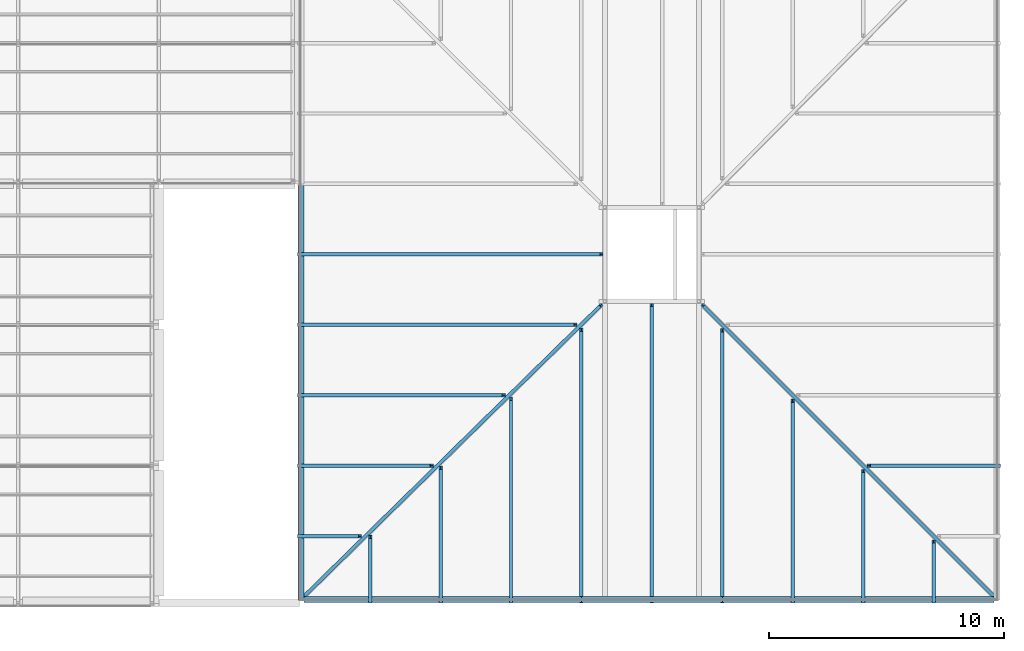
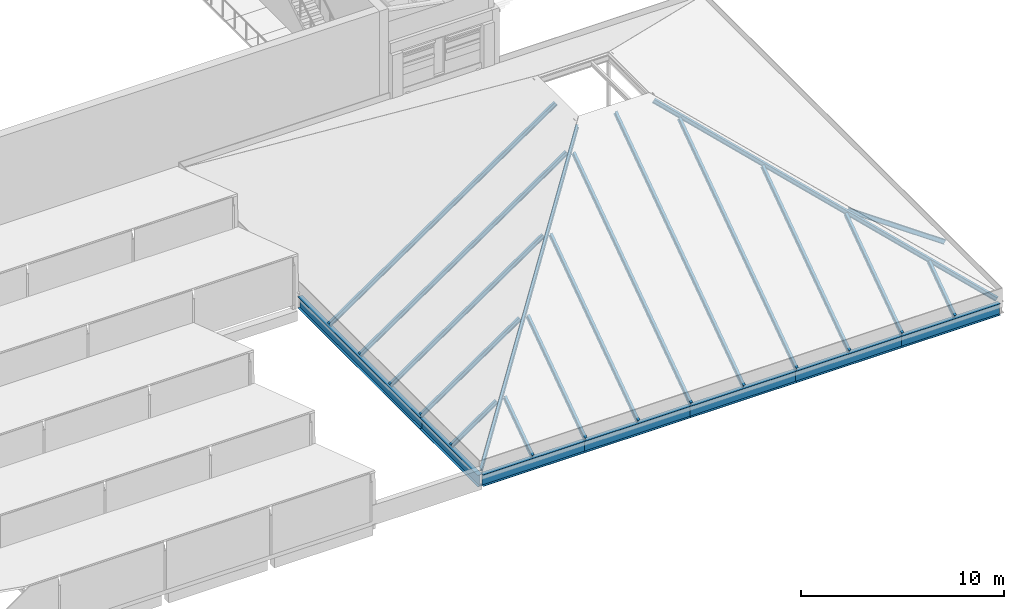
# One storey, part 16 of 118: 17 members, 7 beams.
"""IFC4 building model written with IfcOpenShell, lengths in metres."""

from ifc_helpers import new_model, si_unit, direction, frame, origin, origin_2d, place, context, subcontext, project, spatial, i_section, extrude, material, material_profile, profile_set, type_object, element, save


model = new_model("IFC4")

# Units and contexts
model_context = context("Model", 3, precision=1e-05, world=origin(), true_north=direction((0.0, 1.0)))
body_context = subcontext(model_context, "Body", "Model", "MODEL_VIEW")
ifc_project = project(units=[si_unit("LENGTHUNIT", "METRE"), si_unit("AREAUNIT", "SQUARE_METRE"), si_unit("VOLUMEUNIT", "CUBIC_METRE"), si_unit("PLANEANGLEUNIT", "RADIAN"), si_unit("MASSUNIT", "GRAM", prefix="KILO")], contexts=[model_context])

# Site, building, storey
site_placement = place(None, origin())
site = spatial("IfcSite", under=ifc_project, at=site_placement, CompositionType="ELEMENT")
building_placement = place(site_placement, origin())
building = spatial("IfcBuilding", under=site, at=building_placement, Name="Saffron Lane Theatres", CompositionType="ELEMENT")
storey_placement = place(building_placement, frame((0.0, 0.0, 16.5)))
storey = spatial("IfcBuildingStorey", under=building, at=storey_placement, Name="L03", CompositionType="ELEMENT", Elevation=16.5)

# Beams
ifc_material_1 = material(Name="Steel Grade 350", Category="steel")
ifc_material_profile_1 = material_profile(ifc_material_1, i_section(OverallWidth=0.25, OverallDepth=0.699951171875, WebThickness=0.010009765625, FlangeThickness=0.02001953125, at=origin_2d()))
ifc_profile_set_1 = profile_set([ifc_material_profile_1], Name="Steel Grade 350")
beam_type = type_object("IfcBeamType", Name="ST-EAVE BEAM 700WB130", PredefinedType="BEAM", material=ifc_profile_set_1)
beam_1_placement = place(storey_placement, frame((36.175048828125, 0.300048828125, 0.35009765625), z_axis=(1.0, 0.0, 0.0), x_axis=(0.0, 1.0, 0.0)))
element("IfcBeam", 1, at=beam_1_placement, inside=storey, type_object=beam_type, Name="SE1", PredefinedType="BEAM", context=body_context, shape_type="SweptSolid", body=[
    extrude(i_section(OverallWidth=0.25, OverallDepth=0.699951171875, WebThickness=0.010009765625, FlangeThickness=0.02001953125, at=origin_2d()), origin(), (0.0, 0.0, 1.0), 5.824951171875),
])
for number, where, z_axis, x_axis, name in (
    (2, (42.0, 0.300048828125, 0.35009765625), (1.0, 0.0, 0.0), (0.0, 1.0, 0.0), "SE2"),
    (3, (48.0, 0.300048828125, 0.35009765625), (1.0, 0.0, 0.0), (0.0, 1.0, 0.0), "SE3"),
    (4, (54.0, 0.300048828125, 0.35009765625), (1.0, 0.0, 0.0), (0.0, 1.0, 0.0), "SE4"),
):
    element("IfcBeam", number, at=place(storey_placement, frame(where, z_axis=z_axis, x_axis=x_axis)), inside=storey, type_object=beam_type, Name=name, PredefinedType="BEAM", context=body_context, shape_type="SweptSolid", body=[
        extrude(i_section(OverallWidth=0.25, OverallDepth=0.699951171875, WebThickness=0.010009765625, FlangeThickness=0.02001953125, at=origin_2d()), origin(), (0.0, 0.0, 1.0), 6.0),
    ])
beam_2_placement = place(storey_placement, frame((60.0, 0.300048828125, 0.35009765625), z_axis=(1.0, 0.0, 0.0), x_axis=(0.0, 1.0, 0.0)))
element("IfcBeam", 5, at=beam_2_placement, inside=storey, type_object=beam_type, Name="SE5", PredefinedType="BEAM", context=body_context, shape_type="SweptSolid", body=[
    extrude(i_section(OverallWidth=0.25, OverallDepth=0.699951171875, WebThickness=0.010009765625, FlangeThickness=0.02001953125, at=origin_2d()), origin(), (0.0, 0.0, 1.0), 5.574951171875),
])
beam_3_placement = place(storey_placement, frame((36.050048828125, 0.27490234375, 0.35009765625), z_axis=(0.0, 1.0, 0.0), x_axis=(-1.0, 0.0, 0.0)))
element("IfcBeam", 6, at=beam_3_placement, inside=storey, type_object=beam_type, Name="SE9", PredefinedType="BEAM", context=body_context, shape_type="SweptSolid", body=[
    extrude(i_section(OverallWidth=0.25, OverallDepth=0.699951171875, WebThickness=0.010009765625, FlangeThickness=0.02001953125, at=origin_2d()), origin(), (0.0, 0.0, 1.0), 5.72509765625),
])
beam_4_placement = place(storey_placement, frame((36.050048828125, 6.0, 0.35009765625), z_axis=(0.0, 1.0, 0.0), x_axis=(-1.0, 0.0, 0.0)))
element("IfcBeam", 7, at=beam_4_placement, inside=storey, type_object=beam_type, Name="SE10", PredefinedType="BEAM", context=body_context, shape_type="SweptSolid", body=[
    extrude(i_section(OverallWidth=0.25, OverallDepth=0.699951171875, WebThickness=0.010009765625, FlangeThickness=0.02001953125, at=origin_2d()), origin(), (0.0, 0.0, 1.0), 12.0),
])

# Members
ifc_material_2 = material(Name="Steel Grade 350", Category="steel")
ifc_material_profile_2 = material_profile(ifc_material_2, i_section(OverallWidth=0.14599609375, OverallDepth=0.251953125, WebThickness=0.006103515625, FlangeThickness=0.008544921875, FilletRadius=0.011962890625, at=origin_2d()))
ifc_profile_set_2 = profile_set([ifc_material_profile_2], Name="Steel Grade 350")
member_type_1 = type_object("IfcMemberType", Name="ST-HIP RAFTER 250UB31.4", PredefinedType="RAFTER", material=ifc_profile_set_2)
member_1_placement = place(storey_placement, frame((36.214599609375, 0.464599609375, 0.81298828125), z_axis=(0.639643963461, 0.627142697873, 0.444463312898), x_axis=(-0.700094619058, 0.714050085334, 0.0)))
element("IfcMember", 8, at=member_1_placement, inside=storey, type_object=member_type_1, Name="SH1", PredefinedType="RAFTER", context=body_context, shape_type="SweptSolid", body=[
    extrude(i_section(OverallWidth=0.14599609375, OverallDepth=0.251953125, WebThickness=0.006103515625, FlangeThickness=0.008544921875, FilletRadius=0.011962890625, at=origin_2d()), origin(), (0.0, 0.0, 1.0), 19.724609375),
])
member_2_placement = place(storey_placement, frame((65.535400390625, 0.464599609375, 0.81298828125), z_axis=(-0.632169350358, 0.632169350358, 0.448022125499), x_axis=(-0.707106781187, -0.707106781187, 0.0)))
element("IfcMember", 9, at=member_2_placement, inside=storey, type_object=member_type_1, Name="SH3", PredefinedType="RAFTER", context=body_context, shape_type="SweptSolid", body=[
    extrude(i_section(OverallWidth=0.14599609375, OverallDepth=0.251953125, WebThickness=0.006103515625, FlangeThickness=0.008544921875, FilletRadius=0.011962890625, at=origin_2d()), origin(), (0.0, 0.0, 1.0), 19.5673828125),
])
ifc_material_3 = material(Name="Steel Grade 350", Category="steel")
ifc_material_profile_3 = material_profile(ifc_material_3, i_section(OverallWidth=0.14599609375, OverallDepth=0.251953125, WebThickness=0.006103515625, FlangeThickness=0.008544921875, FilletRadius=0.011962890625, at=origin_2d()))
ifc_profile_set_3 = profile_set([ifc_material_profile_3], Name="Steel Grade 350")
member_type_2 = type_object("IfcMemberType", Name="ST-JACK RAFTER 250UB31.4", PredefinedType="RAFTER", material=ifc_profile_set_3)
member_3_placement = place(storey_placement, frame((39.0, 0.227783203125, 0.80322265625), z_axis=(0.0, 0.819812296247, 0.572632341842), x_axis=(-1.0, 0.0, 0.0)))
element("IfcMember", 10, at=member_3_placement, inside=storey, type_object=member_type_2, Name="SK1", PredefinedType="RAFTER", context=body_context, shape_type="SweptSolid", body=[
    extrude(i_section(OverallWidth=0.14599609375, OverallDepth=0.251953125, WebThickness=0.006103515625, FlangeThickness=0.008544921875, FilletRadius=0.011962890625, at=origin_2d()), origin(), (0.0, 0.0, 1.0), 3.33740234375),
])
member_4_placement = place(storey_placement, frame((42.0, 0.227783203125, 0.80322265625), z_axis=(0.0, 0.819821021074, 0.57261985069), x_axis=(-1.0, 0.0, 0.0)))
element("IfcMember", 11, at=member_4_placement, inside=storey, type_object=member_type_2, Name="SK3", PredefinedType="RAFTER", context=body_context, shape_type="SweptSolid", body=[
    extrude(i_section(OverallWidth=0.14599609375, OverallDepth=0.251953125, WebThickness=0.006103515625, FlangeThickness=0.008544921875, FilletRadius=0.011962890625, at=origin_2d()), origin(), (0.0, 0.0, 1.0), 6.92626953125),
])
member_5_placement = place(storey_placement, frame((45.0, 0.227783203125, 0.80322265625), z_axis=(0.0, 0.819823790315, 0.572615885943), x_axis=(-1.0, 0.0, 0.0)))
element("IfcMember", 12, at=member_5_placement, inside=storey, type_object=member_type_2, Name="SK5", PredefinedType="RAFTER", context=body_context, shape_type="SweptSolid", body=[
    extrude(i_section(OverallWidth=0.14599609375, OverallDepth=0.251953125, WebThickness=0.006103515625, FlangeThickness=0.008544921875, FilletRadius=0.011962890625, at=origin_2d()), origin(), (0.0, 0.0, 1.0), 10.514892578125),
])
member_6_placement = place(storey_placement, frame((48.0, 0.227783203125, 0.80322265625), z_axis=(0.0, 0.819819474257, 0.572622065266), x_axis=(-1.0, 0.0, 0.0)))
element("IfcMember", 13, at=member_6_placement, inside=storey, type_object=member_type_2, Name="SK7", PredefinedType="RAFTER", context=body_context, shape_type="SweptSolid", body=[
    extrude(i_section(OverallWidth=0.14599609375, OverallDepth=0.251953125, WebThickness=0.006103515625, FlangeThickness=0.008544921875, FilletRadius=0.011962890625, at=origin_2d()), origin(), (0.0, 0.0, 1.0), 14.103515625),
])
member_7_placement = place(storey_placement, frame((51.0, 0.227783203125, 0.80322265625), z_axis=(0.0, 0.819813881296, 0.57263007259), x_axis=(-1.0, 0.0, 0.0)))
element("IfcMember", 14, at=member_7_placement, inside=storey, type_object=member_type_2, Name="SK9", PredefinedType="RAFTER", context=body_context, shape_type="SweptSolid", body=[
    extrude(i_section(OverallWidth=0.14599609375, OverallDepth=0.251953125, WebThickness=0.006103515625, FlangeThickness=0.008544921875, FilletRadius=0.011962890625, at=origin_2d()), origin(), (0.0, 0.0, 1.0), 15.401123046875),
])
member_8_placement = place(storey_placement, frame((54.0, 0.227783203125, 0.80322265625), z_axis=(0.0, 0.819815683072, 0.572627493044), x_axis=(-1.0, 0.0, 0.0)))
element("IfcMember", 15, at=member_8_placement, inside=storey, type_object=member_type_2, Name="SK11", PredefinedType="RAFTER", context=body_context, shape_type="SweptSolid", body=[
    extrude(i_section(OverallWidth=0.14599609375, OverallDepth=0.251953125, WebThickness=0.006103515625, FlangeThickness=0.008544921875, FilletRadius=0.011962890625, at=origin_2d()), origin(), (0.0, 0.0, 1.0), 14.077392578125),
])
member_9_placement = place(storey_placement, frame((57.0, 0.227783203125, 0.80322265625), z_axis=(0.0, 0.819816104081, 0.572626890296), x_axis=(-1.0, 0.0, 0.0)))
element("IfcMember", 16, at=member_9_placement, inside=storey, type_object=member_type_2, Name="SK13", PredefinedType="RAFTER", context=body_context, shape_type="SweptSolid", body=[
    extrude(i_section(OverallWidth=0.14599609375, OverallDepth=0.251953125, WebThickness=0.006103515625, FlangeThickness=0.008544921875, FilletRadius=0.011962890625, at=origin_2d()), origin(), (0.0, 0.0, 1.0), 10.41796875),
])
member_10_placement = place(storey_placement, frame((60.0, 0.227783203125, 0.80322265625), z_axis=(0.0, 0.819816980993, 0.57262563484), x_axis=(-1.0, 0.0, 0.0)))
element("IfcMember", 17, at=member_10_placement, inside=storey, type_object=member_type_2, Name="SK15", PredefinedType="RAFTER", context=body_context, shape_type="SweptSolid", body=[
    extrude(i_section(OverallWidth=0.14599609375, OverallDepth=0.251953125, WebThickness=0.006103515625, FlangeThickness=0.008544921875, FilletRadius=0.011962890625, at=origin_2d()), origin(), (0.0, 0.0, 1.0), 6.758544921875),
])
member_11_placement = place(storey_placement, frame((63.0, 0.227783203125, 0.80322265625), z_axis=(0.0, 0.819819928721, 0.572621414612), x_axis=(-1.0, 0.0, 0.0)))
element("IfcMember", 18, at=member_11_placement, inside=storey, type_object=member_type_2, Name="SK17", PredefinedType="RAFTER", context=body_context, shape_type="SweptSolid", body=[
    extrude(i_section(OverallWidth=0.14599609375, OverallDepth=0.251953125, WebThickness=0.006103515625, FlangeThickness=0.008544921875, FilletRadius=0.011962890625, at=origin_2d()), origin(), (0.0, 0.0, 1.0), 3.09912109375),
])
member_12_placement = place(storey_placement, frame((35.97607421875, 3.0, 0.804931640625), z_axis=(0.825032923516, 0.0, 0.5650846619), x_axis=(0.0, 1.0, 0.0)))
element("IfcMember", 19, at=member_12_placement, inside=storey, type_object=member_type_2, Name="SK19", PredefinedType="RAFTER", context=body_context, shape_type="SweptSolid", body=[
    extrude(i_section(OverallWidth=0.14599609375, OverallDepth=0.251953125, WebThickness=0.006103515625, FlangeThickness=0.008544921875, FilletRadius=0.011962890625, at=origin_2d()), origin(), (0.0, 0.0, 1.0), 3.144287109375),
])
member_13_placement = place(storey_placement, frame((35.97607421875, 6.0, 0.804931640625), z_axis=(0.825017888357, 0.0, 0.565106612853), x_axis=(0.0, 1.0, 0.0)))
element("IfcMember", 20, at=member_13_placement, inside=storey, type_object=member_type_2, Name="SK21", PredefinedType="RAFTER", context=body_context, shape_type="SweptSolid", body=[
    extrude(i_section(OverallWidth=0.14599609375, OverallDepth=0.251953125, WebThickness=0.006103515625, FlangeThickness=0.008544921875, FilletRadius=0.011962890625, at=origin_2d()), origin(), (0.0, 0.0, 1.0), 6.852294921875),
])
member_14_placement = place(storey_placement, frame((65.772216796875, 6.0, 0.80322265625), z_axis=(-0.819816980993, 0.0, 0.57262563484), x_axis=(0.0, -1.0, 0.0)))
element("IfcMember", 21, at=member_14_placement, inside=storey, type_object=member_type_2, Name="SK22", PredefinedType="RAFTER", context=body_context, shape_type="SweptSolid", body=[
    extrude(i_section(OverallWidth=0.14599609375, OverallDepth=0.251953125, WebThickness=0.006103515625, FlangeThickness=0.008544921875, FilletRadius=0.011962890625, at=origin_2d()), origin(), (0.0, 0.0, 1.0), 6.758544921875),
])
member_15_placement = place(storey_placement, frame((35.97607421875, 9.0, 0.804931640625), z_axis=(0.825013411424, 0.0, 0.565113148821), x_axis=(0.0, 1.0, 0.0)))
element("IfcMember", 22, at=member_15_placement, inside=storey, type_object=member_type_2, Name="SK23", PredefinedType="RAFTER", context=body_context, shape_type="SweptSolid", body=[
    extrude(i_section(OverallWidth=0.14599609375, OverallDepth=0.251953125, WebThickness=0.006103515625, FlangeThickness=0.008544921875, FilletRadius=0.011962890625, at=origin_2d()), origin(), (0.0, 0.0, 1.0), 10.560302734375),
])
member_16_placement = place(storey_placement, frame((35.97607421875, 12.0, 0.804931640625), z_axis=(0.825011261351, 0.0, 0.565116287718), x_axis=(0.0, 1.0, 0.0)))
element("IfcMember", 23, at=member_16_placement, inside=storey, type_object=member_type_2, Name="SK25", PredefinedType="RAFTER", context=body_context, shape_type="SweptSolid", body=[
    extrude(i_section(OverallWidth=0.14599609375, OverallDepth=0.251953125, WebThickness=0.006103515625, FlangeThickness=0.008544921875, FilletRadius=0.011962890625, at=origin_2d()), origin(), (0.0, 0.0, 1.0), 14.268310546875),
])
member_17_placement = place(storey_placement, frame((35.97607421875, 15.0, 0.804931640625), z_axis=(0.825006774832, 0.0, 0.565122837515), x_axis=(0.0, 1.0, 0.0)))
element("IfcMember", 24, at=member_17_placement, inside=storey, type_object=member_type_2, Name="SK27", PredefinedType="RAFTER", context=body_context, shape_type="SweptSolid", body=[
    extrude(i_section(OverallWidth=0.14599609375, OverallDepth=0.251953125, WebThickness=0.006103515625, FlangeThickness=0.008544921875, FilletRadius=0.011962890625, at=origin_2d()), origin(), (0.0, 0.0, 1.0), 15.6103515625),
])

save(model, "model.ifc")
